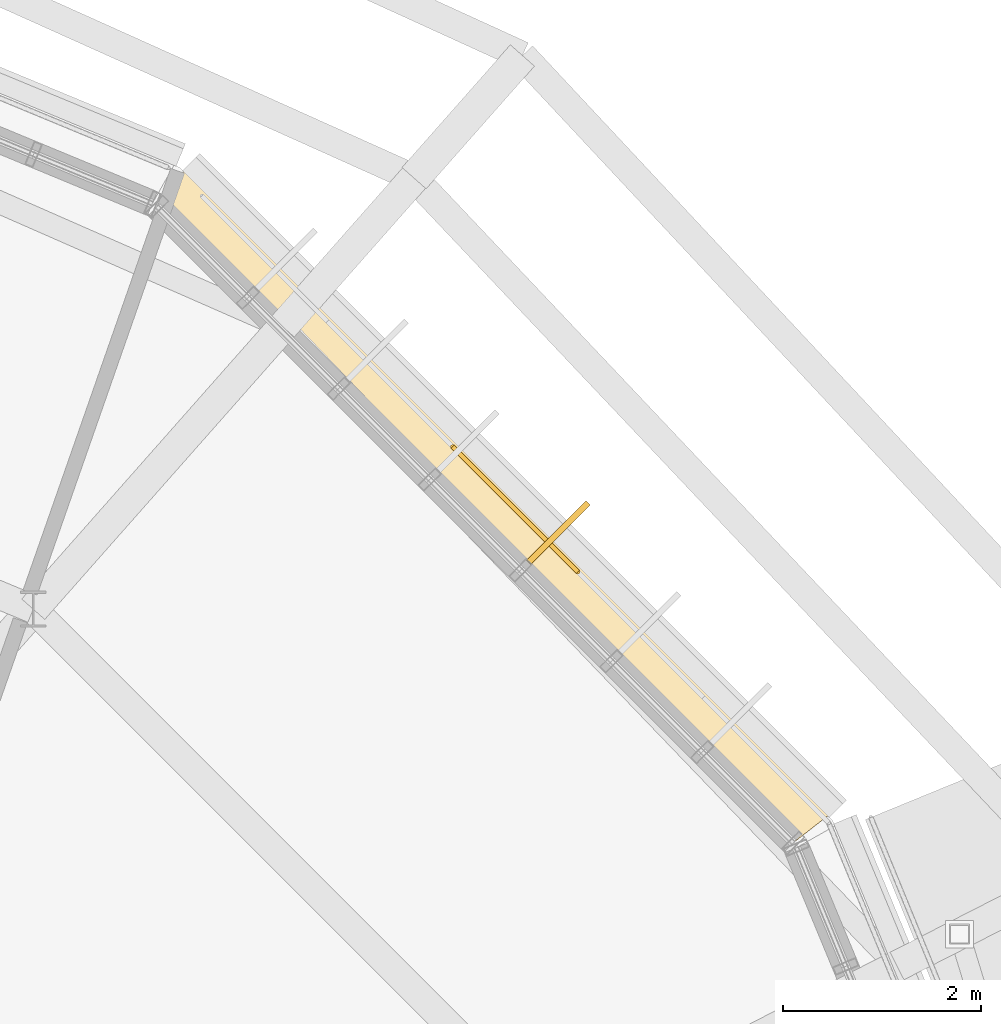
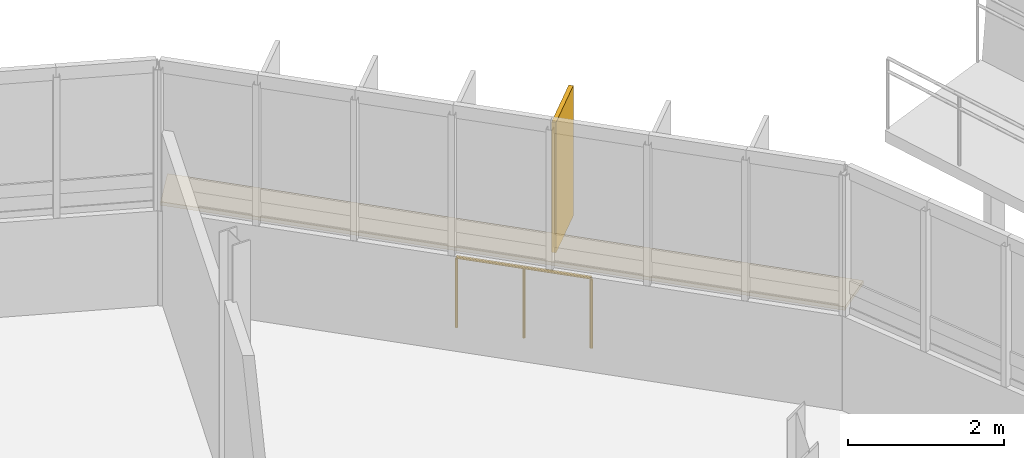
# One storey, part 37 of 38: 1 covering, 1 railing, 1 shading device.
"""IFC4 building model written with IfcOpenShell, lengths in metres."""

import ifcopenshell
import ifcopenshell.guid

model = None  # the IFC model being written
_history = None  # IfcOwnerHistory: only IFC2X3 demands one
_inside = {}  # id of a spatial element -> (the spatial element, [elements in it])
_under = {}  # id of a project, library or spatial element -> (it, [spatial elements below it])
_declared = {}  # id of a project -> (the project, [libraries it declares])
_typed = {}  # id of a type object -> (the type object, [elements of that type])
_made_of = {}  # id of a material, layer set ... -> (it, [elements and type objects made of it])


def new_model(schema):
    """Start an empty IFC model of exactly this schema.

    Asked for "IFC4X3", IfcOpenShell would pick the latest addendum, in which some entities
    have other attributes; the version numbers below select the first issue.
    IFC2X3 requires an IfcOwnerHistory on every rooted entity: one is made here for all.
    """
    global model, _history
    if schema == "IFC4X3":
        model = ifcopenshell.file(schema_version=(4, 3, 0, 0))
    else:
        model = ifcopenshell.file(schema=schema)
    _inside.clear()
    _under.clear()
    _declared.clear()
    _typed.clear()
    _made_of.clear()
    _history = None
    if model.schema == "IFC2X3":
        org = make("IfcOrganization", Name="unknown")
        user = make(
            "IfcPersonAndOrganization",
            ThePerson=make("IfcPerson", FamilyName="unknown"),
            TheOrganization=org,
        )
        app = make(
            "IfcApplication",
            ApplicationDeveloper=org,
            Version="unknown",
            ApplicationFullName="unknown",
            ApplicationIdentifier="unknown",
        )
        _history = make(
            "IfcOwnerHistory",
            OwningUser=user,
            OwningApplication=app,
            ChangeAction="ADDED",
            CreationDate=0,
        )
    return model


def make(cls, **values):
    """One entity of the class cls with the attributes given. An attribute that is None is left unset."""
    return model.create_entity(
        cls, **{name: value for name, value in values.items() if value is not None}
    )


def rooted(cls, **values):
    """An entity with a GlobalId (a new one), such as an element, a storey or a relation."""
    return make(cls, GlobalId=ifcopenshell.guid.new(), OwnerHistory=_history, **values)


def si_unit(unit_type, name, prefix=None):
    """IfcSIUnit, for example si_unit("LENGTHUNIT", "METRE", prefix="MILLI")."""
    return make("IfcSIUnit", UnitType=unit_type, Prefix=prefix, Name=name)


def derived_unit(unit_type, elements):
    """IfcDerivedUnit: a product of units, each with its exponent."""
    return make(
        "IfcDerivedUnit",
        Elements=[
            make("IfcDerivedUnitElement", Unit=unit, Exponent=power)
            for unit, power in elements
        ],
        UnitType=unit_type,
    )


def assignment(units):
    """IfcUnitAssignment: the units of a project."""
    return None if units is None else make("IfcUnitAssignment", Units=units)


def point(xyz):
    """IfcCartesianPoint."""
    return None if xyz is None else make("IfcCartesianPoint", Coordinates=xyz)


def direction(xyz):
    """IfcDirection."""
    return None if xyz is None else make("IfcDirection", DirectionRatios=xyz)


def frame(location, z_axis=None, x_axis=None):
    """IfcAxis2Placement3D, a coordinate frame: its origin and axes. An axis left out is left unset."""
    return make(
        "IfcAxis2Placement3D",
        Location=point(location),
        Axis=direction(z_axis),
        RefDirection=direction(x_axis),
    )


def frame_2d(location, x_axis=None):
    """IfcAxis2Placement2D, a coordinate frame in the plane: its origin and x axis."""
    return make(
        "IfcAxis2Placement2D", Location=point(location), RefDirection=direction(x_axis)
    )


def origin():
    """The frame at (0, 0, 0) with its axes left unset."""
    return frame((0.0, 0.0, 0.0))


def origin_2d():
    """The frame at (0, 0) in the plane with its x axis left unset."""
    return frame_2d((0.0, 0.0))


def place(relative_to, where):
    """IfcLocalPlacement: puts the frame where relative to a parent placement (None: the world)."""
    return make(
        "IfcLocalPlacement", PlacementRelTo=relative_to, RelativePlacement=where
    )


def context(
    kind, dimensions, precision=None, world=None, true_north=None, identifier=None
):
    """IfcGeometricRepresentationContext, for example the 3D "Model" context."""
    return make(
        "IfcGeometricRepresentationContext",
        ContextIdentifier=identifier,
        ContextType=kind,
        CoordinateSpaceDimension=dimensions,
        Precision=precision,
        WorldCoordinateSystem=world,
        TrueNorth=true_north,
    )


def subcontext(parent, identifier, kind, view, scale=None):
    """IfcGeometricRepresentationSubContext, for example "Body" below "Model"."""
    return make(
        "IfcGeometricRepresentationSubContext",
        ContextIdentifier=identifier,
        ContextType=kind,
        ParentContext=parent,
        TargetScale=scale,
        TargetView=view,
    )


def project(units=None, contexts=None):
    """IfcProject with its units and contexts."""
    return rooted(
        "IfcProject",
        Name="project",
        RepresentationContexts=contexts,
        UnitsInContext=assignment(units),
    )


def spatial(cls, under=None, at=None, **own):
    """A site, building, storey or space (cls), placed at a placement, below another one or the project."""
    s = rooted(cls, ObjectPlacement=at, **own)
    if under is not None:
        _under.setdefault(under.id(), (under, []))[1].append(s)
    return s


def polyline(points):
    """IfcPolyline through the points."""
    return make("IfcPolyline", Points=[point(p) for p in points])


def profile(cls, at=None, kind="AREA", **sizes):
    """A parametric profile (cls). Its sizes go by their IFC names, for example OverallWidth=200.0."""
    return make(cls, ProfileType=kind, Position=at, **sizes)


def rectangle(**sizes):
    """IfcRectangleProfileDef."""
    return profile("IfcRectangleProfileDef", **sizes)


def circle(**sizes):
    """IfcCircleProfileDef."""
    return profile("IfcCircleProfileDef", **sizes)


def outline(outer, holes=None, kind="AREA"):
    """IfcArbitraryClosedProfileDef: a profile drawn as a closed curve; with holes, ...WithVoids."""
    if holes is None:
        return make("IfcArbitraryClosedProfileDef", ProfileType=kind, OuterCurve=outer)
    return make(
        "IfcArbitraryProfileDefWithVoids",
        ProfileType=kind,
        OuterCurve=outer,
        InnerCurves=holes,
    )


def extrude(swept, where, along, depth):
    """IfcExtrudedAreaSolid: the profile swept, set in the frame where, extruded along a direction by depth."""
    return make(
        "IfcExtrudedAreaSolid",
        SweptArea=swept,
        Position=where,
        ExtrudedDirection=direction(along),
        Depth=depth,
    )


def shape(context_of_items, identifier, shape_type, items):
    """IfcShapeRepresentation: the items that make up one representation, for example the "Body"."""
    return make(
        "IfcShapeRepresentation",
        ContextOfItems=context_of_items,
        RepresentationIdentifier=identifier,
        RepresentationType=shape_type,
        Items=items,
    )


def material(Name=None, Category=None):
    """IfcMaterial."""
    return make("IfcMaterial", Name=Name, Category=Category)


def layer(
    of_material, thickness, ventilated=None, Name=None, Category=None, Priority=None
):
    """IfcMaterialLayer: one layer of a wall or slab, of a material (None: an air gap)."""
    return make(
        "IfcMaterialLayer",
        Material=of_material,
        LayerThickness=thickness,
        IsVentilated=ventilated,
        Name=Name,
        Category=Category,
        Priority=Priority,
    )


def layer_set(layers, Name=None):
    """IfcMaterialLayerSet."""
    return make("IfcMaterialLayerSet", MaterialLayers=layers, LayerSetName=Name)


def made_of(thing, what):
    """Note that an element or type object is made of a material, layer set ...; save() writes the relation."""
    if what is not None:
        _made_of.setdefault(what.id(), (what, []))[1].append(thing)
    return thing


def type_object(cls, material=None, **own):
    """A type object (cls), such as IfcWallType, which elements share."""
    return made_of(rooted(cls, **own), material)


def element(
    cls,
    number,
    at=None,
    inside=None,
    cuts=None,
    type_object=None,
    material=None,
    context=None,
    identifier="Body",
    shape_type=None,
    held_by="IfcProductDefinitionShape",
    body=None,
    shapes=None,
    **own,
):
    """One element of the class cls, such as IfcWall. Its Tag is "e" and its number.

    at: its placement. inside: the storey or other place that contains it. cuts: it is an
    opening in that element (IfcRelVoidsElement). A single representation is given by context,
    identifier, shape_type and body (its items); several are given by shapes. held_by: the class
    of the entity that holds the representations. save() writes the other relations.
    """
    e = rooted(cls, Tag="e%d" % number, ObjectPlacement=at, **own)
    if body is not None:
        shapes = [shape(context, identifier, shape_type, body)]
    if shapes is not None:
        e.Representation = make(held_by, Representations=shapes)
    if inside is not None:
        _inside.setdefault(inside.id(), (inside, []))[1].append(e)
    if cuts is not None:
        rooted(
            "IfcRelVoidsElement", RelatingBuildingElement=cuts, RelatedOpeningElement=e
        )
    if type_object is not None:
        _typed.setdefault(type_object.id(), (type_object, []))[1].append(e)
    return made_of(e, material)


def aggregate(whole, parts):
    """IfcRelAggregates: a whole, such as a stair, and the parts it consists of."""
    return rooted("IfcRelAggregates", RelatingObject=whole, RelatedObjects=parts)


def save(model, path):
    """Write the relations noted so far, then the file.

    IfcRelAggregates (storeys below a building ...), IfcRelContainedInSpatialStructure (elements
    in a storey), IfcRelDefinesByType, IfcRelAssociatesMaterial and IfcRelDeclares: one each for
    every whole, place, type object, material and project.
    """
    for whole, parts in _under.values():
        aggregate(whole, parts)
    for where, things in _inside.values():
        rooted(
            "IfcRelContainedInSpatialStructure",
            RelatedElements=things,
            RelatingStructure=where,
        )
    for kind, things in _typed.values():
        rooted("IfcRelDefinesByType", RelatedObjects=things, RelatingType=kind)
    for what, things in _made_of.values():
        rooted("IfcRelAssociatesMaterial", RelatedObjects=things, RelatingMaterial=what)
    for by, libraries in _declared.values():
        rooted("IfcRelDeclares", RelatingContext=by, RelatedDefinitions=libraries)
    model.write(path)


model = new_model("IFC4")

# Units and contexts
model_context = context("Model", 3, precision=1e-05, world=origin(), true_north=direction((0.0, 1.0)))
body_context = subcontext(model_context, "Body", "Model", "MODEL_VIEW")
ifc_project = project(units=[si_unit("LENGTHUNIT", "METRE"), si_unit("AREAUNIT", "SQUARE_METRE"), si_unit("VOLUMEUNIT", "CUBIC_METRE"), si_unit("PLANEANGLEUNIT", "RADIAN"), si_unit("MASSUNIT", "GRAM", prefix="KILO"), derived_unit("THERMALTRANSMITTANCEUNIT", [(si_unit("MASSUNIT", "GRAM", prefix="KILO"), 1), (si_unit("TIMEUNIT", "SECOND"), -3), (si_unit("THERMODYNAMICTEMPERATUREUNIT", "KELVIN"), -1)])], contexts=[model_context])

# Site, building, storey
site_placement = place(None, origin())
site = spatial("IfcSite", under=ifc_project, at=site_placement, CompositionType="ELEMENT")
building_placement = place(site_placement, origin())
building = spatial("IfcBuilding", under=site, at=building_placement, Name="Makaiwela Harbour Ferry Terminal", CompositionType="ELEMENT")
storey_placement = place(building_placement, frame((0.0, 0.0, 17.699951171875)))
storey = spatial("IfcBuildingStorey", under=building, at=storey_placement, Name="L04", CompositionType="ELEMENT", Elevation=17.699951171875)

# Covering
ifc_material_1 = material(Name="White glazed marine ceramic rainscreen tile", Category="masonry")
ifc_layer_1 = layer(ifc_material_1, 0.054931640625)
ifc_layer_set_1 = layer_set([ifc_layer_1], Name="White glazed marine ceramic rainscreen tile")
covering_type = type_object("IfcCoveringType", Name="ENV-CLD-CERAMIC", PredefinedType="CLADDING", material=ifc_layer_set_1)
covering_placement = place(storey_placement, frame((0.0, 0.0, 1.47998046875)))
element("IfcCovering", 1, at=covering_placement, inside=storey, type_object=covering_type, Name="Ceramic Ring Sill Cap CLD-0098", PredefinedType="CLADDING", context=body_context, shape_type="SweptSolid", body=[
    extrude(outline(polyline([(55.986083984375, 82.182373046875), (49.46240234375, 88.7060546875), (49.071533203125, 88.205078125), (55.485107421875, 81.79150390625), (55.986083984375, 82.182373046875)])), origin(), (0.0, 0.0, 1.0), 0.05517578125),
])

# Shading device
ifc_material_2 = material(Name="Thermally modified Accoya timber and anodised aluminium", Category="wood")
ifc_layer_2 = layer(ifc_material_2, 0.06005859375)
ifc_layer_set_2 = layer_set([ifc_layer_2], Name="Thermally modified Accoya timber and anodised aluminium")
shading_device_type = type_object("IfcShadingDeviceType", Name="ENV-FIN-850", PredefinedType="USERDEFINED", material=ifc_layer_set_2)
shading_device_placement = place(storey_placement, frame((53.116943359375, 84.920654296875, 1.60400390625), z_axis=(0.0, 0.0, 1.0), x_axis=(0.707106781187, 0.707106781187, 0.0)))
element("IfcShadingDevice", 2, at=shading_device_placement, inside=storey, type_object=shading_device_type, Name="Vertical Solar Fin SFN-0110", ObjectType="SOLAR FIN", PredefinedType="USERDEFINED", context=body_context, shape_type="SweptSolid", body=[
    extrude(rectangle(XDim=0.85009765625, YDim=0.06005859375, at=origin_2d()), origin(), (0.0, 0.0, 1.0), 2.0400390625),
])

# Railing
ifc_material_3 = material(Name="Marine grade 316L brushed stainless steel", Category="steel")
railing_type = type_object("IfcRailingType", Name="INT-RL-GRD110", PredefinedType="GUARDRAIL", material=ifc_material_3)
railing_placement = place(storey_placement, frame((52.05078125, 85.786376953125, 0.0)))
element("IfcRailing", 3, at=railing_placement, inside=storey, type_object=railing_type, Name="Deck edge guardrail RL-0789", PredefinedType="GUARDRAIL", context=body_context, shape_type="SweptSolid", body=[
    extrude(circle(Radius=0.02392578125, at=origin_2d()), frame((0.0, 0.0, 1.09619140625), z_axis=(0.707175077586, -0.70703847819, 0.0), x_axis=(0.70703847819, 0.707175077586, 0.0)), (0.0, 0.0, 1.0), 1.787353515625),
    extrude(circle(Radius=0.02099609375, at=origin_2d()), origin(), (0.0, 0.0, 1.0), 1.072021484375),
    extrude(circle(Radius=0.02099609375, at=origin_2d()), frame((0.6318359375, -0.6318359375, 0.0)), (0.0, 0.0, 1.0), 1.072021484375),
    extrude(circle(Radius=0.02099609375, at=origin_2d()), frame((1.263916015625, -1.263671875, 0.0)), (0.0, 0.0, 1.0), 1.072021484375),
])

save(model, "model.ifc")
